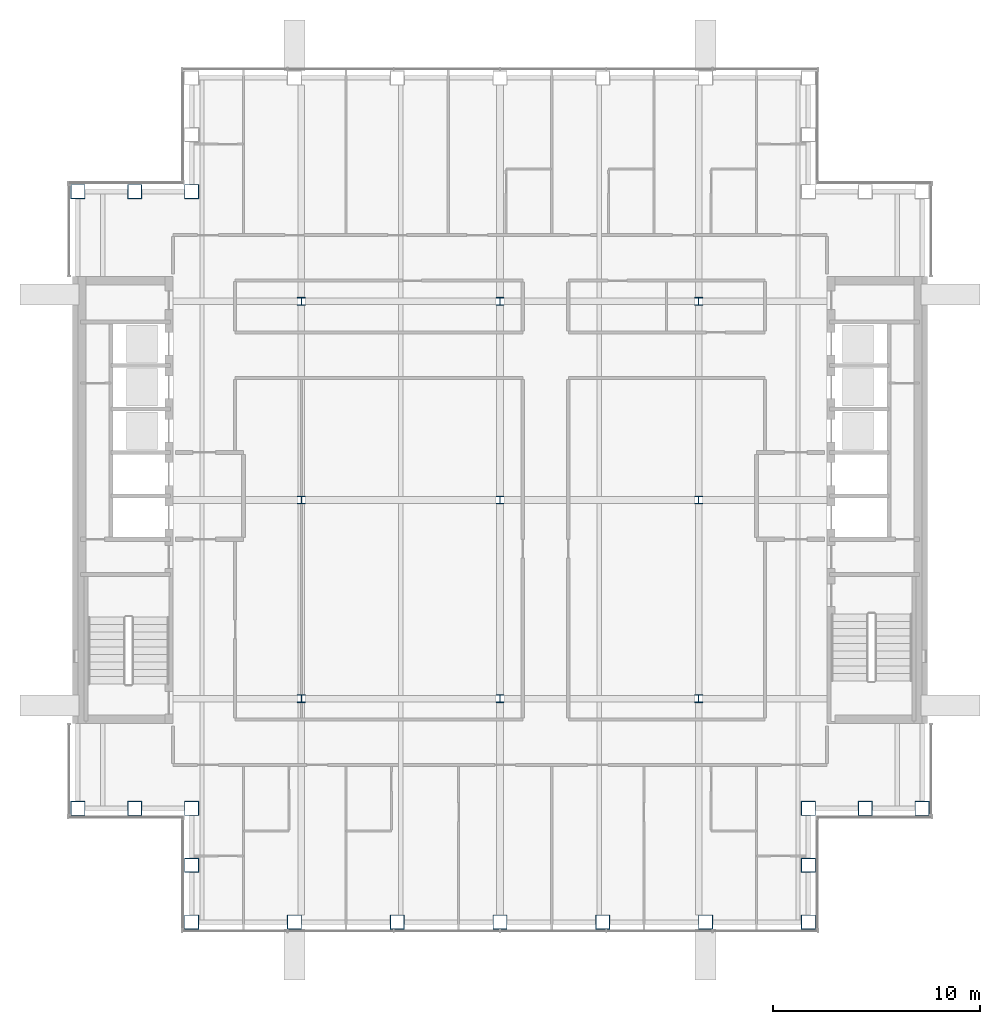
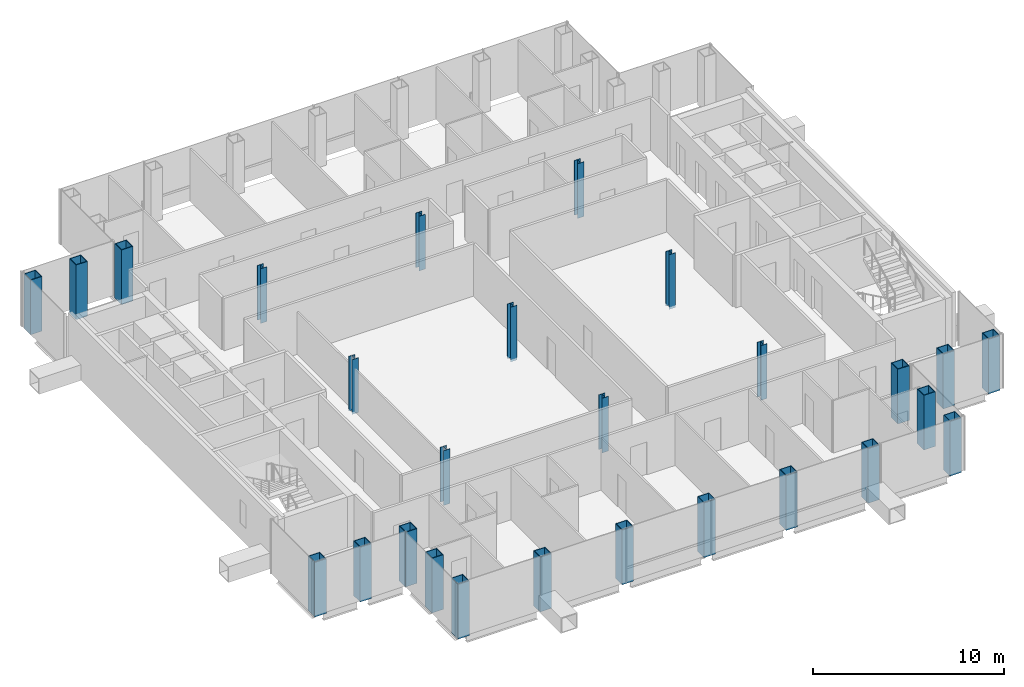
# One storey, part 1 of 14: 27 columns.
"""IFC4 building model written with IfcOpenShell, lengths in metres."""

from ifc_helpers import new_model, si_unit, direction, frame, origin, origin_2d, place, context, subcontext, project, spatial, hollow_rectangle, i_section, extrude, material, material_profile, profile_set, type_object, element, save


model = new_model("IFC4")

# Units and contexts
model_context = context("Model", 3, precision=1e-05, world=origin(), true_north=direction((0.0, 1.0)))
body_context = subcontext(model_context, "Body", "Model", "MODEL_VIEW")
ifc_project = project(units=[si_unit("LENGTHUNIT", "METRE"), si_unit("AREAUNIT", "SQUARE_METRE"), si_unit("VOLUMEUNIT", "CUBIC_METRE"), si_unit("PLANEANGLEUNIT", "RADIAN"), si_unit("MASSUNIT", "GRAM", prefix="KILO")], contexts=[model_context])

# Site, building, storey
site_placement = place(None, origin())
site = spatial("IfcSite", under=ifc_project, at=site_placement, CompositionType="ELEMENT")
building_placement = place(site_placement, origin())
building = spatial("IfcBuilding", under=site, at=building_placement, Name="Cobrizo Arcos Hotel Tower", CompositionType="ELEMENT")
storey_placement = place(building_placement, frame((0.0, 0.0, 208.5)))
storey = spatial("IfcBuildingStorey", under=building, at=storey_placement, Name="L54", CompositionType="ELEMENT", Elevation=208.5)

# Columns
ifc_material_1 = material(Name="Steel ASTM A572 Grade 50", Category="steel")
ifc_material_profile_1 = material_profile(ifc_material_1, hollow_rectangle(XDim=0.699951171875, YDim=0.699951171875, WallThickness=0.0400390625, at=origin_2d()), Name="BOX 700X700X40")
ifc_profile_set_1 = profile_set([ifc_material_profile_1], Name="Steel ASTM A572 Grade 50")
column_type_1 = type_object("IfcColumnType", Name="BOX 700X700X40 column", PredefinedType="COLUMN", material=ifc_profile_set_1)
for number, where, z_axis, x_axis, name in (
    (1, (-14.89990234375, -20.39990234375, -0.14990234375), (0.0, 0.0, 1.0), (1.0, 0.0, 0.0), "Perimeter column C10, L54, no. 01"),
    (2, (-9.93310546875, -20.39990234375, -0.14990234375), (0.0, 0.0, 1.0), (1.0, 0.0, 0.0), "Perimeter column C10, L54, no. 03"),
    (3, (-4.967041015625, -20.39990234375, -0.14990234375), (0.0, 0.0, 1.0), (1.0, 0.0, 0.0), "Perimeter column C10, L54, no. 05"),
    (4, (0.0, -20.39990234375, -0.14990234375), (0.0, 0.0, 1.0), (1.0, 0.0, 0.0), "Perimeter column C10, L54, no. 07"),
    (5, (4.967041015625, -20.39990234375, -0.14990234375), (0.0, 0.0, 1.0), (1.0, 0.0, 0.0), "Perimeter column C10, L54, no. 09"),
    (6, (9.93310546875, -20.39990234375, -0.14990234375), (0.0, 0.0, 1.0), (1.0, 0.0, 0.0), "Perimeter column C10, L54, no. 11"),
    (7, (14.89990234375, -20.39990234375, -0.14990234375), (0.0, 0.0, 1.0), (1.0, 0.0, 0.0), "Perimeter column C10, L54, no. 13"),
    (8, (20.39990234375, -14.89990234375, -0.14990234375), (0.0, 0.0, 1.0), (1.0, 0.0, 0.0), "Perimeter column C10, L54, no. 14"),
    (9, (-20.39990234375, -14.89990234375, -0.14990234375), (0.0, 0.0, 1.0), (1.0, 0.0, 0.0), "Perimeter column C10, L54, no. 15"),
    (10, (-20.39990234375, 14.89990234375, -0.14990234375), (0.0, 0.0, 1.0), (1.0, 0.0, 0.0), "Perimeter column C10, L54, no. 17"),
    (11, (-14.89990234375, -14.89990234375, -0.14990234375), (0.0, 0.0, 1.0), (1.0, 0.0, 0.0), "Perimeter column C10, L54, no. 18"),
    (12, (-14.89990234375, -17.64990234375, -0.14990234375), (0.0, 0.0, 1.0), (1.0, 0.0, 0.0), "Perimeter column C10, L54, no. 19"),
    (13, (-17.64990234375, -14.89990234375, -0.14990234375), (0.0, 0.0, 1.0), (1.0, 0.0, 0.0), "Perimeter column C10, L54, no. 20"),
    (14, (-14.89990234375, 14.89990234375, -0.14990234375), (0.0, 0.0, 1.0), (1.0, 0.0, 0.0), "Perimeter column C10, L54, no. 21"),
    (15, (-17.64990234375, 14.89990234375, -0.14990234375), (0.0, 0.0, 1.0), (1.0, 0.0, 0.0), "Perimeter column C10, L54, no. 23"),
    (16, (14.89990234375, -14.89990234375, -0.14990234375), (0.0, 0.0, 1.0), (1.0, 0.0, 0.0), "Perimeter column C10, L54, no. 24"),
    (17, (14.89990234375, -17.64990234375, -0.14990234375), (0.0, 0.0, 1.0), (1.0, 0.0, 0.0), "Perimeter column C10, L54, no. 25"),
    (18, (17.64990234375, -14.89990234375, -0.14990234375), (0.0, 0.0, 1.0), (1.0, 0.0, 0.0), "Perimeter column C10, L54, no. 26"),
):
    element("IfcColumn", number, at=place(storey_placement, frame(where, z_axis=z_axis, x_axis=x_axis)), inside=storey, type_object=column_type_1, Name=name, PredefinedType="COLUMN", context=body_context, shape_type="SweptSolid", body=[
        extrude(hollow_rectangle(XDim=0.699951171875, YDim=0.699951171875, WallThickness=0.0400390625, at=origin_2d()), origin(), (0.0, 0.0, 1.0), 3.5),
    ])
ifc_material_2 = material(Name="Steel ASTM A992 Grade 50", Category="steel")
ifc_material_profile_2 = material_profile(ifc_material_2, i_section(OverallWidth=0.373291015625, OverallDepth=0.373291015625, WebThickness=0.016357421875, FlangeThickness=0.026123046875, at=origin_2d()), Name="W14X132")
ifc_profile_set_2 = profile_set([ifc_material_profile_2], Name="Steel ASTM A992 Grade 50")
column_type_2 = type_object("IfcColumnType", Name="W14X132 interior column", PredefinedType="COLUMN", material=ifc_profile_set_2)
for number, where, z_axis, x_axis, name in (
    (19, (-9.60009765625, -9.60009765625, -0.14990234375), (0.0, 0.0, 1.0), (1.0, 0.0, 0.0), "Interior column C9, L54, no. 00"),
    (20, (-9.60009765625, 0.0, -0.14990234375), (0.0, 0.0, 1.0), (1.0, 0.0, 0.0), "Interior column C9, L54, no. 01"),
    (21, (-9.60009765625, 9.60009765625, -0.14990234375), (0.0, 0.0, 1.0), (1.0, 0.0, 0.0), "Interior column C9, L54, no. 02"),
    (22, (0.0, -9.60009765625, -0.14990234375), (0.0, 0.0, 1.0), (1.0, 0.0, 0.0), "Interior column C9, L54, no. 03"),
    (23, (0.0, 0.0, -0.14990234375), (0.0, 0.0, 1.0), (1.0, 0.0, 0.0), "Interior column C9, L54, no. 04"),
    (24, (0.0, 9.60009765625, -0.14990234375), (0.0, 0.0, 1.0), (1.0, 0.0, 0.0), "Interior column C9, L54, no. 05"),
    (25, (9.60009765625, -9.60009765625, -0.14990234375), (0.0, 0.0, 1.0), (1.0, 0.0, 0.0), "Interior column C9, L54, no. 06"),
    (26, (9.60009765625, 0.0, -0.14990234375), (0.0, 0.0, 1.0), (1.0, 0.0, 0.0), "Interior column C9, L54, no. 07"),
    (27, (9.60009765625, 9.60009765625, -0.14990234375), (0.0, 0.0, 1.0), (1.0, 0.0, 0.0), "Interior column C9, L54, no. 08"),
):
    element("IfcColumn", number, at=place(storey_placement, frame(where, z_axis=z_axis, x_axis=x_axis)), inside=storey, type_object=column_type_2, Name=name, PredefinedType="COLUMN", context=body_context, shape_type="SweptSolid", body=[
        extrude(i_section(OverallWidth=0.373291015625, OverallDepth=0.373291015625, WebThickness=0.016357421875, FlangeThickness=0.026123046875, at=origin_2d()), origin(), (0.0, 0.0, 1.0), 3.5),
    ])

save(model, "model.ifc")
